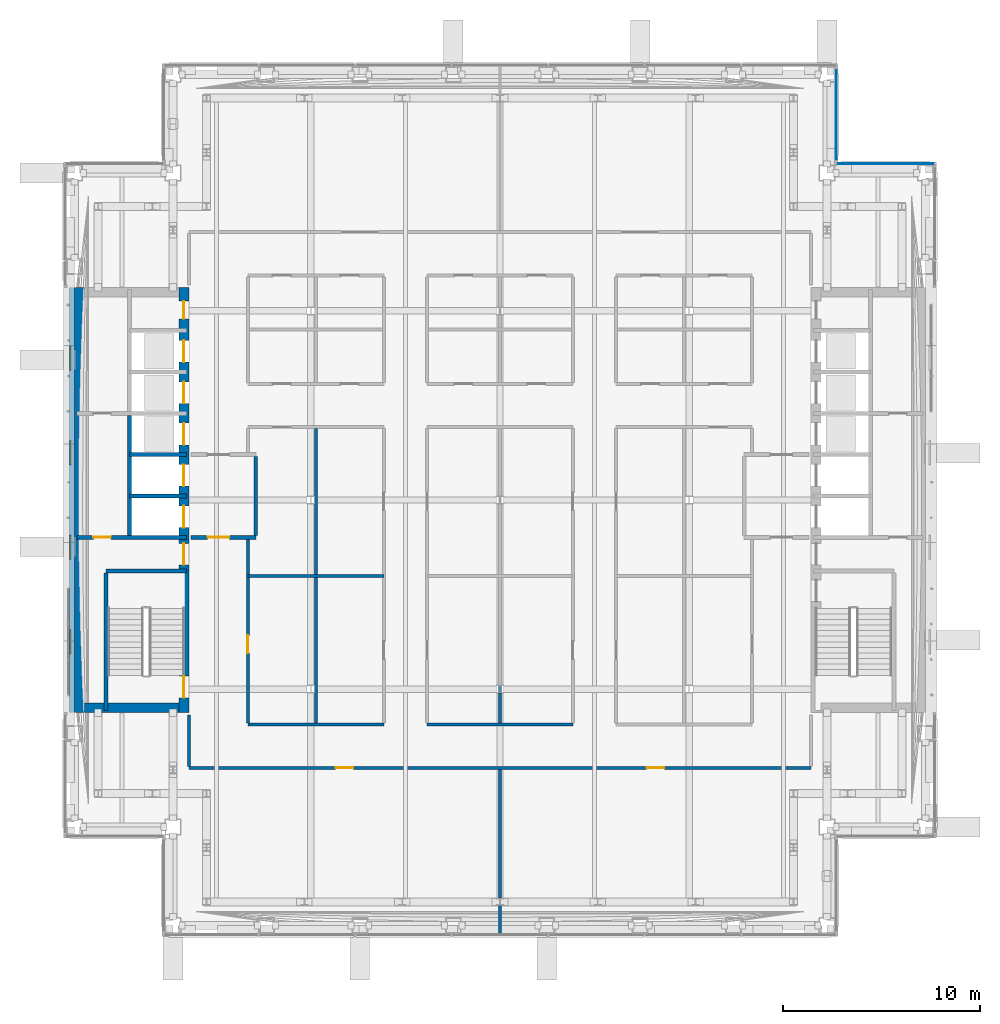
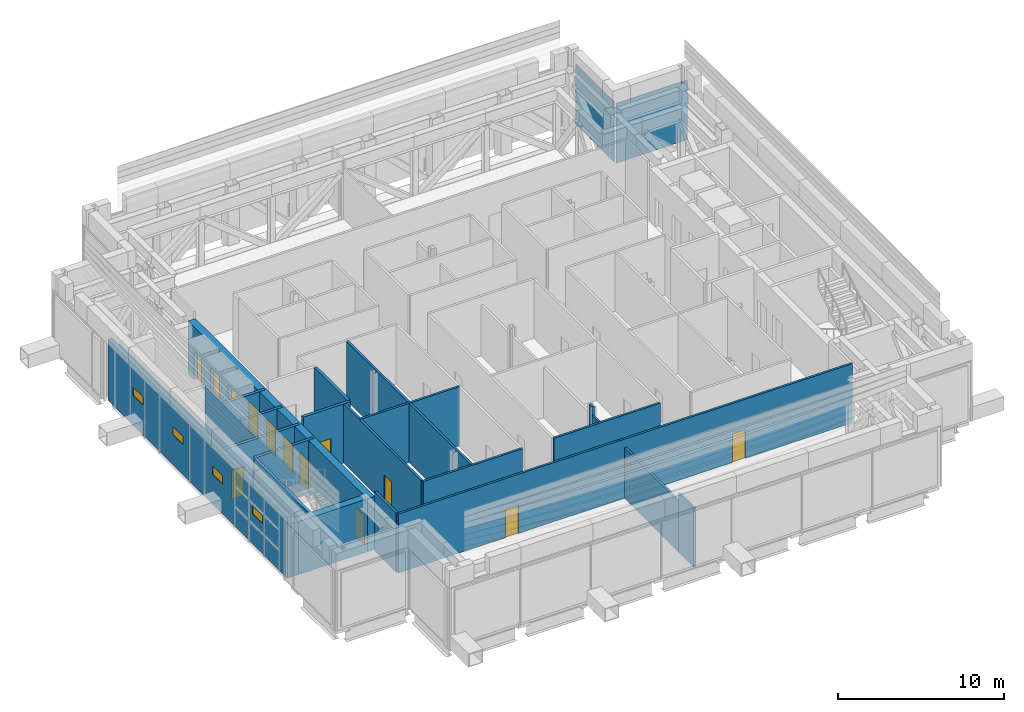
# One storey, part 11 of 29: 24 walls, 13 doors, 4 windows, 2 plates, 17 openings, 2 elements without a shape of their own.
"""IFC4 building model written with IfcOpenShell, lengths in metres."""

from ifc_helpers import new_model, si_unit, direction, frame, frame_2d, origin, origin_2d, place, context, subcontext, project, spatial, rectangle, extrude, material, layer, layer_set, type_object, element, fill, aggregate, save


model = new_model("IFC4")

# Units and contexts
model_context = context("Model", 3, precision=1e-05, world=origin(), true_north=direction((0.0, 1.0)))
body_context = subcontext(model_context, "Body", "Model", "MODEL_VIEW")
ifc_project = project(units=[si_unit("LENGTHUNIT", "METRE"), si_unit("AREAUNIT", "SQUARE_METRE"), si_unit("VOLUMEUNIT", "CUBIC_METRE"), si_unit("PLANEANGLEUNIT", "RADIAN"), si_unit("MASSUNIT", "GRAM", prefix="KILO")], contexts=[model_context])

# Site, building, storey
site_placement = place(None, origin())
site = spatial("IfcSite", under=ifc_project, at=site_placement, CompositionType="ELEMENT")
building_placement = place(site_placement, origin())
building = spatial("IfcBuilding", under=site, at=building_placement, Name="Cobrizo Arcos Hotel Tower", CompositionType="ELEMENT")
storey_placement = place(building_placement, frame((0.0, 0.0, 186.5)))
storey = spatial("IfcBuildingStorey", under=building, at=storey_placement, Name="L48", CompositionType="ELEMENT", Elevation=186.5)

# Curtain wall, plate
ifc_material_1 = material(Name="Aluminium 6063-T6 anodised bronze", Category="aluminium")
curtain_wall_type = type_object("IfcCurtainWallType", Name="CW-D plant louvre wall", PredefinedType="NOTDEFINED", material=ifc_material_1)
curtain_wall_1_placement = place(storey_placement, origin())
curtain_wall_1 = element("IfcCurtainWall", 1, at=curtain_wall_1_placement, inside=storey, type_object=curtain_wall_type, Name="CW-D L48 N face", PredefinedType="NOTDEFINED")
ifc_material_2 = material(Name="Aluminium composite panel pale metal", Category="aluminium")
ifc_layer_1 = layer(ifc_material_2, 0.06005859375)
ifc_layer_set_1 = layer_set([ifc_layer_1], Name="CW-D spandrel panel")
plate_type = type_object("IfcPlateType", Name="CW-D spandrel panel", PredefinedType="CURTAIN_PANEL", material=ifc_layer_set_1)
plate_1_placement = place(storey_placement, frame((19.574951171875, 17.074951171875, 0.0), z_axis=(0.0, 0.0, 1.0), x_axis=(-1.0, 0.0, 0.0)))
plate_1 = element("IfcPlate", 2, at=plate_1_placement, type_object=plate_type, Name="CW-D insulated panel 1679", PredefinedType="CURTAIN_PANEL", context=body_context, shape_type="SweptSolid", body=[
    extrude(rectangle(XDim=4.949951171875, YDim=0.0400390625, at=origin_2d()), origin(), (0.0, 0.0, 1.0), 4.39990234375),
])
aggregate(curtain_wall_1, [plate_1])

curtain_wall_2_placement = place(storey_placement, origin())
curtain_wall_2 = element("IfcCurtainWall", 3, at=curtain_wall_2_placement, inside=storey, type_object=curtain_wall_type, Name="CW-D L48 E face", PredefinedType="NOTDEFINED")
plate_2_placement = place(storey_placement, frame((17.074951171875, 19.574951171875, 0.0), z_axis=(0.0, 0.0, 1.0), x_axis=(0.0, 1.0, 0.0)))
plate_2 = element("IfcPlate", 4, at=plate_2_placement, type_object=plate_type, Name="CW-D insulated panel 1680", PredefinedType="CURTAIN_PANEL", context=body_context, shape_type="SweptSolid", body=[
    extrude(rectangle(XDim=4.64990234375, YDim=0.0400390625, at=origin_2d()), origin(), (0.0, 0.0, 1.0), 4.39990234375),
])
aggregate(curtain_wall_2, [plate_2])

# Wall, openings, doors
ifc_material_3 = material(Name="Gypsum board partition")
ifc_layer_2 = layer(ifc_material_3, 0.14990234375)
ifc_layer_set_2 = layer_set([ifc_layer_2], Name="Corridor wall EI 60 150")
wall_type_1 = type_object("IfcWallType", Name="Corridor wall EI 60 150", PredefinedType="PARTITIONING", material=ifc_layer_set_2)
wall_1_placement = place(storey_placement, frame((-15.800048828125, -13.60009765625, 0.0), z_axis=(0.0, 0.0, 1.0), x_axis=(1.0, 0.0, 0.0)))
wall_1 = element("IfcWall", 5, at=wall_1_placement, inside=storey, type_object=wall_type_1, Name="Partition 001", PredefinedType="PARTITIONING", context=body_context, shape_type="SweptSolid", body=[
    extrude(rectangle(XDim=31.60009765625, YDim=0.14990234375, at=frame_2d((15.800048828125, 0.0))), origin(), (0.0, 0.0, 1.0), 4.35009765625),
])
opening_1_placement = place(wall_1_placement, frame((7.449951171875, 0.0, 0.0)))
opening_1 = element("IfcOpeningElement", 6, at=opening_1_placement, cuts=wall_1, Name="Opening RD-07", PredefinedType="OPENING", context=body_context, shape_type="SweptSolid", body=[
    extrude(rectangle(XDim=0.89990234375, YDim=2.10009765625, at=frame_2d((0.449951171875, 1.050048828125))), frame((0.0, 0.0869140625, 0.0), z_axis=(0.0, -1.0, 0.0), x_axis=(1.0, 0.0, 0.0)), (0.0, 0.0, 1.0), 0.173828125),
])
opening_2_placement = place(wall_1_placement, frame((23.25, 0.0, 0.0)))
opening_2 = element("IfcOpeningElement", 7, at=opening_2_placement, cuts=wall_1, Name="Opening RD-08", PredefinedType="OPENING", context=body_context, shape_type="SweptSolid", body=[
    extrude(rectangle(XDim=0.89990234375, YDim=2.10009765625, at=frame_2d((0.449951171875, 1.050048828125))), frame((0.0, 0.0869140625, 0.0), z_axis=(0.0, -1.0, 0.0), x_axis=(1.0, 0.0, 0.0)), (0.0, 0.0, 1.0), 0.173828125),
])
ifc_material_4 = material(Name="Timber door leaf", Category="wood")
door_type_1 = type_object("IfcDoorType", Name="Room door FD30 900x2100", OperationType="SINGLE_SWING_LEFT", PredefinedType="DOOR", material=ifc_material_4)
door_1_placement = place(opening_1_placement, origin())
door_1 = element("IfcDoor", 8, at=door_1_placement, inside=storey, type_object=door_type_1, Name="Door RD-07", OperationType="SINGLE_SWING_LEFT", OverallHeight=2.10009765625, OverallWidth=0.89990234375, PredefinedType="DOOR", context=body_context, shape_type="SweptSolid", body=[
    extrude(rectangle(XDim=0.89990234375, YDim=2.10009765625, at=frame_2d((0.449951171875, 1.050048828125))), frame((0.0, 0.02490234375, 0.0), z_axis=(0.0, -1.0, 0.0), x_axis=(1.0, 0.0, 0.0)), (0.0, 0.0, 1.0), 0.050048828125),
])
fill(opening_1, door_1)
door_2_placement = place(opening_2_placement, origin())
door_2 = element("IfcDoor", 9, at=door_2_placement, inside=storey, type_object=door_type_1, Name="Door RD-08", OperationType="SINGLE_SWING_RIGHT", OverallHeight=2.10009765625, OverallWidth=0.89990234375, PredefinedType="DOOR", context=body_context, shape_type="SweptSolid", body=[
    extrude(rectangle(XDim=0.89990234375, YDim=2.10009765625, at=frame_2d((0.449951171875, 1.050048828125))), frame((0.0, 0.02490234375, 0.0), z_axis=(0.0, -1.0, 0.0), x_axis=(1.0, 0.0, 0.0)), (0.0, 0.0, 1.0), 0.050048828125),
])
fill(opening_2, door_2)

# Walls
wall_2_placement = place(storey_placement, frame((-12.800048828125, -11.39990234375, 0.0), z_axis=(0.0, 0.0, 1.0), x_axis=(1.0, 0.0, 0.0)))
element("IfcWall", 10, at=wall_2_placement, inside=storey, type_object=wall_type_1, Name="Partition 002", PredefinedType="PARTITIONING", context=body_context, shape_type="SweptSolid", body=[
    extrude(rectangle(XDim=6.900146484375, YDim=0.14990234375, at=frame_2d((3.4501953125, 0.0))), origin(), (0.0, 0.0, 1.0), 4.35009765625),
])
wall_3_placement = place(storey_placement, frame((-3.699951171875, -11.39990234375, 0.0), z_axis=(0.0, 0.0, 1.0), x_axis=(1.0, 0.0, 0.0)))
element("IfcWall", 11, at=wall_3_placement, inside=storey, type_object=wall_type_1, Name="Partition 003", PredefinedType="PARTITIONING", context=body_context, shape_type="SweptSolid", body=[
    extrude(rectangle(XDim=7.39990234375, YDim=0.14990234375, at=frame_2d((3.699951171875, 0.0))), origin(), (0.0, 0.0, 1.0), 4.35009765625),
])
wall_4_placement = place(storey_placement, frame((-12.800048828125, -3.85009765625, 0.0), z_axis=(0.0, 0.0, 1.0), x_axis=(1.0, 0.0, 0.0)))
element("IfcWall", 12, at=wall_4_placement, inside=storey, type_object=wall_type_1, Name="Partition 005", PredefinedType="PARTITIONING", context=body_context, shape_type="SweptSolid", body=[
    extrude(rectangle(XDim=6.900146484375, YDim=0.14990234375, at=frame_2d((3.4501953125, 0.0))), origin(), (0.0, 0.0, 1.0), 4.35009765625),
])
wall_5_placement = place(storey_placement, frame((-15.800048828125, -13.52490234375, 0.0), z_axis=(0.0, 0.0, 1.0), x_axis=(0.0, 1.0, 0.0)))
element("IfcWall", 13, at=wall_5_placement, inside=storey, type_object=wall_type_1, Name="Partition 043", PredefinedType="PARTITIONING", context=body_context, shape_type="SweptSolid", body=[
    extrude(rectangle(XDim=2.60498046875, YDim=0.14990234375, at=frame_2d((1.302490234375, 0.0))), origin(), (0.0, 0.0, 1.0), 4.35009765625),
])

# Wall, opening, door
wall_6_placement = place(storey_placement, frame((-12.800048828125, -11.324951171875, 0.0), z_axis=(0.0, 0.0, 1.0), x_axis=(0.0, 1.0, 0.0)))
wall_6 = element("IfcWall", 14, at=wall_6_placement, inside=storey, type_object=wall_type_1, Name="Partition 045", PredefinedType="PARTITIONING", context=body_context, shape_type="SweptSolid", body=[
    extrude(rectangle(XDim=9.324951171875, YDim=0.14990234375, at=frame_2d((4.66259765625, 0.0))), origin(), (0.0, 0.0, 1.0), 4.35009765625),
])
opening_3_placement = place(wall_6_placement, frame((3.550048828125, 0.0, 0.0)))
opening_3 = element("IfcOpeningElement", 15, at=opening_3_placement, cuts=wall_6, Name="Opening RD-25", PredefinedType="OPENING", context=body_context, shape_type="SweptSolid", body=[
    extrude(rectangle(XDim=0.89990234375, YDim=2.10009765625, at=frame_2d((0.449951171875, 1.050048828125))), frame((0.0, 0.0869140625, 0.0), z_axis=(0.0, -1.0, 0.0), x_axis=(1.0, 0.0, 0.0)), (0.0, 0.0, 1.0), 0.173828125),
])
door_3_placement = place(opening_3_placement, origin())
door_3 = element("IfcDoor", 16, at=door_3_placement, inside=storey, type_object=door_type_1, Name="Door RD-25", OperationType="SINGLE_SWING_RIGHT", OverallHeight=2.10009765625, OverallWidth=0.89990234375, PredefinedType="DOOR", context=body_context, shape_type="SweptSolid", body=[
    extrude(rectangle(XDim=0.89990234375, YDim=2.10009765625, at=frame_2d((0.449951171875, 1.050048828125))), frame((0.0, 0.02490234375, 0.0), z_axis=(0.0, -1.0, 0.0), x_axis=(1.0, 0.0, 0.0)), (0.0, 0.0, 1.0), 0.050048828125),
])
fill(opening_3, door_3)

# Walls
for number, where, z_axis, x_axis, name in (
    (17, (-9.35009765625, -11.324951171875, 0.0), (0.0, 0.0, 1.0), (0.0, 1.0, 0.0), "Partition 050"),
    (18, (-9.35009765625, -3.77490234375, 0.0), (0.0, 0.0, 1.0), (0.0, 1.0, 0.0), "Partition 051"),
):
    element("IfcWall", number, at=place(storey_placement, frame(where, z_axis=z_axis, x_axis=x_axis)), inside=storey, type_object=wall_type_1, Name=name, PredefinedType="PARTITIONING", context=body_context, shape_type="SweptSolid", body=[
        extrude(rectangle(XDim=7.39990234375, YDim=0.14990234375, at=frame_2d((3.699951171875, 0.0))), origin(), (0.0, 0.0, 1.0), 4.35009765625),
    ])
wall_7_placement = place(storey_placement, frame((0.0, -22.030029296875, 0.0), z_axis=(0.0, 0.0, 1.0), x_axis=(0.0, 1.0, 0.0)))
element("IfcWall", 19, at=wall_7_placement, inside=storey, type_object=wall_type_1, Name="Partition 058", PredefinedType="PARTITIONING", context=body_context, shape_type="SweptSolid", body=[
    extrude(rectangle(XDim=1.83056640625, YDim=0.14990234375, at=frame_2d((0.915283203125, 0.0))), origin(), (0.0, 0.0, 1.0), 4.35009765625),
])
wall_8_placement = place(storey_placement, frame((0.0, -20.199951171875, 0.0), z_axis=(0.0, 0.0, 1.0), x_axis=(0.0, 1.0, 0.0)))
element("IfcWall", 20, at=wall_8_placement, inside=storey, type_object=wall_type_1, Name="Partition 059", PredefinedType="PARTITIONING", context=body_context, shape_type="SweptSolid", body=[
    extrude(rectangle(XDim=6.52490234375, YDim=0.14990234375, at=frame_2d((3.262451171875, 0.0))), origin(), (0.0, 0.0, 1.0), 3.72802734375),
])
wall_9_placement = place(storey_placement, frame((0.0, -11.324951171875, 0.0), z_axis=(0.0, 0.0, 1.0), x_axis=(0.0, 1.0, 0.0)))
element("IfcWall", 21, at=wall_9_placement, inside=storey, type_object=wall_type_1, Name="Partition 060", PredefinedType="PARTITIONING", context=body_context, shape_type="SweptSolid", body=[
    extrude(rectangle(XDim=1.537841796875, YDim=0.14990234375, at=frame_2d((0.76904296875, 0.0))), origin(), (0.0, 0.0, 1.0), 3.72802734375),
])
wall_10_placement = place(storey_placement, frame((0.0, -9.787109375, 0.0), z_axis=(0.0, 0.0, 1.0), x_axis=(0.0, 1.0, 0.0)))
element("IfcWall", 22, at=wall_10_placement, inside=storey, type_object=wall_type_1, Name="Partition 061", PredefinedType="PARTITIONING", context=body_context, shape_type="SweptSolid", body=[
    extrude(rectangle(XDim=0.3740234375, YDim=0.14990234375, at=frame_2d((0.18701171875, 0.0))), origin(), (0.0, 0.0, 1.0), 4.35009765625),
])

# Wall, openings, windows
ifc_layer_3 = layer(ifc_material_2, 0.27490234375)
ifc_layer_set_3 = layer_set([ifc_layer_3], Name="EW-1 insulated panel wall 275")
wall_type_2 = type_object("IfcWallType", Name="EW-1 insulated panel wall 275", PredefinedType="SOLIDWALL", material=ifc_layer_set_3)
wall_11_placement = place(storey_placement, frame((-21.737548828125, 10.800048828125, 0.0), z_axis=(0.0, 0.0, 1.0), x_axis=(0.0, -1.0, 0.0)))
wall_11 = element("IfcWall", 23, at=wall_11_placement, inside=storey, type_object=wall_type_2, Name="Core face wall L48 W", PredefinedType="SOLIDWALL", context=body_context, shape_type="SweptSolid", body=[
    extrude(rectangle(XDim=21.60009765625, YDim=0.27490234375, at=frame_2d((10.800048828125, 0.0))), origin(), (0.0, 0.0, 1.0), 4.5),
])
opening_4_placement = place(wall_11_placement, frame((3.0, 0.0, 2.199951171875)))
opening_4 = element("IfcOpeningElement", 24, at=opening_4_placement, cuts=wall_11, Name="Opening W-107", PredefinedType="OPENING", context=body_context, shape_type="SweptSolid", body=[
    extrude(rectangle(XDim=1.199951171875, YDim=0.60009765625, at=frame_2d((0.60009765625, 0.300048828125))), frame((0.0, 0.1494140625, 0.0), z_axis=(0.0, -1.0, 0.0), x_axis=(1.0, 0.0, 0.0)), (0.0, 0.0, 1.0), 0.298828125),
])
opening_5_placement = place(wall_11_placement, frame((7.800048828125, 0.0, 2.199951171875)))
opening_5 = element("IfcOpeningElement", 25, at=opening_5_placement, cuts=wall_11, Name="Opening W-108", PredefinedType="OPENING", context=body_context, shape_type="SweptSolid", body=[
    extrude(rectangle(XDim=1.199951171875, YDim=0.60009765625, at=frame_2d((0.60009765625, 0.300048828125))), frame((0.0, 0.1494140625, 0.0), z_axis=(0.0, -1.0, 0.0), x_axis=(1.0, 0.0, 0.0)), (0.0, 0.0, 1.0), 0.298828125),
])
opening_6_placement = place(wall_11_placement, frame((12.60009765625, 0.0, 2.199951171875)))
opening_6 = element("IfcOpeningElement", 26, at=opening_6_placement, cuts=wall_11, Name="Opening W-109", PredefinedType="OPENING", context=body_context, shape_type="SweptSolid", body=[
    extrude(rectangle(XDim=1.199951171875, YDim=0.60009765625, at=frame_2d((0.60009765625, 0.300048828125))), frame((0.0, 0.1494140625, 0.0), z_axis=(0.0, -1.0, 0.0), x_axis=(1.0, 0.0, 0.0)), (0.0, 0.0, 1.0), 0.298828125),
])
opening_7_placement = place(wall_11_placement, frame((17.39990234375, 0.0, 2.199951171875)))
opening_7 = element("IfcOpeningElement", 27, at=opening_7_placement, cuts=wall_11, Name="Opening W-110", PredefinedType="OPENING", context=body_context, shape_type="SweptSolid", body=[
    extrude(rectangle(XDim=1.199951171875, YDim=0.60009765625, at=frame_2d((0.60009765625, 0.300048828125))), frame((0.0, 0.1494140625, 0.0), z_axis=(0.0, -1.0, 0.0), x_axis=(1.0, 0.0, 0.0)), (0.0, 0.0, 1.0), 0.298828125),
])
ifc_material_5 = material(Name="Aluminium 6063-T6 and clear laminated glass", Category="aluminium")
window_type = type_object("IfcWindowType", Name="W-S1 plant smoke-vent window 1200x600", PartitioningType="SINGLE_PANEL", PredefinedType="WINDOW", material=ifc_material_5)
window_1_placement = place(opening_4_placement, origin())
window_1 = element("IfcWindow", 28, at=window_1_placement, inside=storey, type_object=window_type, Name="Core face wall L48 W window W-107", OverallHeight=0.60009765625, OverallWidth=1.199951171875, PartitioningType="SINGLE_PANEL", PredefinedType="WINDOW", context=body_context, shape_type="SweptSolid", body=[
    extrude(rectangle(XDim=1.199951171875, YDim=0.60009765625, at=frame_2d((0.60009765625, 0.300048828125))), frame((0.0, -0.04736328125, 0.0), z_axis=(0.0, -1.0, 0.0), x_axis=(1.0, 0.0, 0.0)), (0.0, 0.0, 1.0), 0.06005859375),
])
fill(opening_4, window_1)
window_2_placement = place(opening_5_placement, origin())
window_2 = element("IfcWindow", 29, at=window_2_placement, inside=storey, type_object=window_type, Name="Core face wall L48 W window W-108", OverallHeight=0.60009765625, OverallWidth=1.199951171875, PartitioningType="SINGLE_PANEL", PredefinedType="WINDOW", context=body_context, shape_type="SweptSolid", body=[
    extrude(rectangle(XDim=1.199951171875, YDim=0.60009765625, at=frame_2d((0.60009765625, 0.300048828125))), frame((0.0, -0.04736328125, 0.0), z_axis=(0.0, -1.0, 0.0), x_axis=(1.0, 0.0, 0.0)), (0.0, 0.0, 1.0), 0.06005859375),
])
fill(opening_5, window_2)
window_3_placement = place(opening_6_placement, origin())
window_3 = element("IfcWindow", 30, at=window_3_placement, inside=storey, type_object=window_type, Name="Core face wall L48 W window W-109", OverallHeight=0.60009765625, OverallWidth=1.199951171875, PartitioningType="SINGLE_PANEL", PredefinedType="WINDOW", context=body_context, shape_type="SweptSolid", body=[
    extrude(rectangle(XDim=1.199951171875, YDim=0.60009765625, at=frame_2d((0.60009765625, 0.300048828125))), frame((0.0, -0.04736328125, 0.0), z_axis=(0.0, -1.0, 0.0), x_axis=(1.0, 0.0, 0.0)), (0.0, 0.0, 1.0), 0.06005859375),
])
fill(opening_6, window_3)
window_4_placement = place(opening_7_placement, origin())
window_4 = element("IfcWindow", 31, at=window_4_placement, inside=storey, type_object=window_type, Name="Core face wall L48 W window W-110", OverallHeight=0.60009765625, OverallWidth=1.199951171875, PartitioningType="SINGLE_PANEL", PredefinedType="WINDOW", context=body_context, shape_type="SweptSolid", body=[
    extrude(rectangle(XDim=1.199951171875, YDim=0.60009765625, at=frame_2d((0.60009765625, 0.300048828125))), frame((0.0, -0.04736328125, 0.0), z_axis=(0.0, -1.0, 0.0), x_axis=(1.0, 0.0, 0.0)), (0.0, 0.0, 1.0), 0.06005859375),
])
fill(opening_7, window_4)

# Wall, openings, doors
ifc_material_6 = material(Name="Concrete f'c 50 MPa", Category="concrete")
ifc_layer_4 = layer(ifc_material_6, 0.5)
ifc_layer_set_4 = layer_set([ifc_layer_4], Name="RC core wall 500 f'c 50")
wall_type_3 = type_object("IfcWallType", Name="RC core wall 500 f'c 50", PredefinedType="SHEAR", material=ifc_layer_set_4)
wall_12_placement = place(storey_placement, frame((-16.050048828125, -10.800048828125, 0.0), z_axis=(0.0, 0.0, 1.0), x_axis=(0.0, 1.0, 0.0)))
wall_12 = element("IfcWall", 32, at=wall_12_placement, inside=storey, type_object=wall_type_3, Name="Core wall CW3, west core, inner face, L48", PredefinedType="SHEAR", context=body_context, shape_type="SweptSolid", body=[
    extrude(rectangle(XDim=21.60009765625, YDim=0.5, at=frame_2d((10.800048828125, 0.0))), origin(), (0.0, 0.0, 1.0), 3.89990234375),
])
opening_8_placement = place(wall_12_placement, frame((9.39990234375, 0.0, 0.0)))
opening_8 = element("IfcOpeningElement", 33, at=opening_8_placement, cuts=wall_12, Name="Opening LD-01", PredefinedType="OPENING", context=body_context, shape_type="SweptSolid", body=[
    extrude(rectangle(XDim=1.10009765625, YDim=2.10009765625, at=frame_2d((0.550048828125, 1.050048828125))), frame((0.0, 0.261962890625, 0.0), z_axis=(0.0, -1.0, 0.0), x_axis=(1.0, 0.0, 0.0)), (0.0, 0.0, 1.0), 0.52392578125),
])
opening_9_placement = place(wall_12_placement, frame((11.5, 0.0, 0.0)))
opening_9 = element("IfcOpeningElement", 34, at=opening_9_placement, cuts=wall_12, Name="Opening LD-02", PredefinedType="OPENING", context=body_context, shape_type="SweptSolid", body=[
    extrude(rectangle(XDim=1.10009765625, YDim=2.10009765625, at=frame_2d((0.550048828125, 1.050048828125))), frame((0.0, 0.261962890625, 0.0), z_axis=(0.0, -1.0, 0.0), x_axis=(1.0, 0.0, 0.0)), (0.0, 0.0, 1.0), 0.52392578125),
])
opening_10_placement = place(wall_12_placement, frame((13.60009765625, 0.0, 0.0)))
opening_10 = element("IfcOpeningElement", 35, at=opening_10_placement, cuts=wall_12, Name="Opening LD-03", PredefinedType="OPENING", context=body_context, shape_type="SweptSolid", body=[
    extrude(rectangle(XDim=1.10009765625, YDim=2.10009765625, at=frame_2d((0.550048828125, 1.050048828125))), frame((0.0, 0.261962890625, 0.0), z_axis=(0.0, -1.0, 0.0), x_axis=(1.0, 0.0, 0.0)), (0.0, 0.0, 1.0), 0.52392578125),
])
opening_11_placement = place(wall_12_placement, frame((15.699951171875, 0.0, 0.0)))
opening_11 = element("IfcOpeningElement", 36, at=opening_11_placement, cuts=wall_12, Name="Opening LD-04", PredefinedType="OPENING", context=body_context, shape_type="SweptSolid", body=[
    extrude(rectangle(XDim=1.10009765625, YDim=2.10009765625, at=frame_2d((0.550048828125, 1.050048828125))), frame((0.0, 0.261962890625, 0.0), z_axis=(0.0, -1.0, 0.0), x_axis=(1.0, 0.0, 0.0)), (0.0, 0.0, 1.0), 0.52392578125),
])
opening_12_placement = place(wall_12_placement, frame((17.800048828125, 0.0, 0.0)))
opening_12 = element("IfcOpeningElement", 37, at=opening_12_placement, cuts=wall_12, Name="Opening LD-05", PredefinedType="OPENING", context=body_context, shape_type="SweptSolid", body=[
    extrude(rectangle(XDim=1.10009765625, YDim=2.10009765625, at=frame_2d((0.550048828125, 1.050048828125))), frame((0.0, 0.261962890625, 0.0), z_axis=(0.0, -1.0, 0.0), x_axis=(1.0, 0.0, 0.0)), (0.0, 0.0, 1.0), 0.52392578125),
])
opening_13_placement = place(wall_12_placement, frame((0.758056640625, 0.0, 0.0)))
opening_13 = element("IfcOpeningElement", 38, at=opening_13_placement, cuts=wall_12, Name="Opening SD-01", PredefinedType="OPENING", context=body_context, shape_type="SweptSolid", body=[
    extrude(rectangle(XDim=1.10009765625, YDim=2.10009765625, at=frame_2d((0.550048828125, 1.050048828125))), frame((0.0, 0.261962890625, 0.0), z_axis=(0.0, -1.0, 0.0), x_axis=(1.0, 0.0, 0.0)), (0.0, 0.0, 1.0), 0.52392578125),
])
opening_14_placement = place(wall_12_placement, frame((7.5, 0.0, 0.0)))
opening_14 = element("IfcOpeningElement", 39, at=opening_14_placement, cuts=wall_12, Name="Opening FD-01", PredefinedType="OPENING", context=body_context, shape_type="SweptSolid", body=[
    extrude(rectangle(XDim=1.10009765625, YDim=2.10009765625, at=frame_2d((0.550048828125, 1.050048828125))), frame((0.0, 0.261962890625, 0.0), z_axis=(0.0, -1.0, 0.0), x_axis=(1.0, 0.0, 0.0)), (0.0, 0.0, 1.0), 0.52392578125),
])
opening_15_placement = place(wall_12_placement, frame((20.0, 0.0, 0.0)))
opening_15 = element("IfcOpeningElement", 40, at=opening_15_placement, cuts=wall_12, Name="Opening RD-01", PredefinedType="OPENING", context=body_context, shape_type="SweptSolid", body=[
    extrude(rectangle(XDim=0.89990234375, YDim=2.10009765625, at=frame_2d((0.449951171875, 1.050048828125))), frame((0.0, 0.261962890625, 0.0), z_axis=(0.0, -1.0, 0.0), x_axis=(1.0, 0.0, 0.0)), (0.0, 0.0, 1.0), 0.52392578125),
])
ifc_material_7 = material(Name="Steel door leaf", Category="steel")
door_type_2 = type_object("IfcDoorType", Name="Fire door FD60 1100x2100", OperationType="SINGLE_SWING_LEFT", PredefinedType="DOOR", material=ifc_material_7)
door_4_placement = place(opening_14_placement, origin())
door_4 = element("IfcDoor", 41, at=door_4_placement, inside=storey, type_object=door_type_2, Name="Door FD-01", OperationType="SINGLE_SWING_LEFT", OverallHeight=2.10009765625, OverallWidth=1.10009765625, PredefinedType="DOOR", context=body_context, shape_type="SweptSolid", body=[
    extrude(rectangle(XDim=1.10009765625, YDim=2.10009765625, at=frame_2d((0.550048828125, 1.050048828125))), frame((0.0, 0.02490234375, 0.0), z_axis=(0.0, -1.0, 0.0), x_axis=(1.0, 0.0, 0.0)), (0.0, 0.0, 1.0), 0.050048828125),
])
fill(opening_14, door_4)
door_type_3 = type_object("IfcDoorType", Name="Lift landing door 1100x2100", OperationType="SLIDING_TO_LEFT", PredefinedType="DOOR", material=ifc_material_7)
door_5_placement = place(opening_8_placement, origin())
door_5 = element("IfcDoor", 42, at=door_5_placement, inside=storey, type_object=door_type_3, Name="Lift landing door LD-01", OperationType="SLIDING_TO_LEFT", OverallHeight=2.10009765625, OverallWidth=1.10009765625, PredefinedType="DOOR", context=body_context, shape_type="SweptSolid", body=[
    extrude(rectangle(XDim=1.10009765625, YDim=2.10009765625, at=frame_2d((0.550048828125, 1.050048828125))), frame((0.0, 0.02490234375, 0.0), z_axis=(0.0, -1.0, 0.0), x_axis=(1.0, 0.0, 0.0)), (0.0, 0.0, 1.0), 0.050048828125),
])
fill(opening_8, door_5)
door_6_placement = place(opening_9_placement, origin())
door_6 = element("IfcDoor", 43, at=door_6_placement, inside=storey, type_object=door_type_3, Name="Lift landing door LD-02", OperationType="SLIDING_TO_LEFT", OverallHeight=2.10009765625, OverallWidth=1.10009765625, PredefinedType="DOOR", context=body_context, shape_type="SweptSolid", body=[
    extrude(rectangle(XDim=1.10009765625, YDim=2.10009765625, at=frame_2d((0.550048828125, 1.050048828125))), frame((0.0, 0.02490234375, 0.0), z_axis=(0.0, -1.0, 0.0), x_axis=(1.0, 0.0, 0.0)), (0.0, 0.0, 1.0), 0.050048828125),
])
fill(opening_9, door_6)
door_7_placement = place(opening_10_placement, origin())
door_7 = element("IfcDoor", 44, at=door_7_placement, inside=storey, type_object=door_type_3, Name="Lift landing door LD-03", OperationType="SLIDING_TO_LEFT", OverallHeight=2.10009765625, OverallWidth=1.10009765625, PredefinedType="DOOR", context=body_context, shape_type="SweptSolid", body=[
    extrude(rectangle(XDim=1.10009765625, YDim=2.10009765625, at=frame_2d((0.550048828125, 1.050048828125))), frame((0.0, 0.02490234375, 0.0), z_axis=(0.0, -1.0, 0.0), x_axis=(1.0, 0.0, 0.0)), (0.0, 0.0, 1.0), 0.050048828125),
])
fill(opening_10, door_7)
door_8_placement = place(opening_11_placement, origin())
door_8 = element("IfcDoor", 45, at=door_8_placement, inside=storey, type_object=door_type_3, Name="Lift landing door LD-04", OperationType="SLIDING_TO_LEFT", OverallHeight=2.10009765625, OverallWidth=1.10009765625, PredefinedType="DOOR", context=body_context, shape_type="SweptSolid", body=[
    extrude(rectangle(XDim=1.10009765625, YDim=2.10009765625, at=frame_2d((0.550048828125, 1.050048828125))), frame((0.0, 0.02490234375, 0.0), z_axis=(0.0, -1.0, 0.0), x_axis=(1.0, 0.0, 0.0)), (0.0, 0.0, 1.0), 0.050048828125),
])
fill(opening_11, door_8)
door_9_placement = place(opening_12_placement, origin())
door_9 = element("IfcDoor", 46, at=door_9_placement, inside=storey, type_object=door_type_3, Name="Lift landing door LD-05", OperationType="SLIDING_TO_LEFT", OverallHeight=2.10009765625, OverallWidth=1.10009765625, PredefinedType="DOOR", context=body_context, shape_type="SweptSolid", body=[
    extrude(rectangle(XDim=1.10009765625, YDim=2.10009765625, at=frame_2d((0.550048828125, 1.050048828125))), frame((0.0, 0.02490234375, 0.0), z_axis=(0.0, -1.0, 0.0), x_axis=(1.0, 0.0, 0.0)), (0.0, 0.0, 1.0), 0.050048828125),
])
fill(opening_12, door_9)
door_10_placement = place(opening_15_placement, origin())
door_10 = element("IfcDoor", 47, at=door_10_placement, inside=storey, type_object=door_type_1, Name="Door RD-01", OperationType="SINGLE_SWING_RIGHT", OverallHeight=2.10009765625, OverallWidth=0.89990234375, PredefinedType="DOOR", context=body_context, shape_type="SweptSolid", body=[
    extrude(rectangle(XDim=0.89990234375, YDim=2.10009765625, at=frame_2d((0.449951171875, 1.050048828125))), frame((0.0, 0.02490234375, 0.0), z_axis=(0.0, -1.0, 0.0), x_axis=(1.0, 0.0, 0.0)), (0.0, 0.0, 1.0), 0.050048828125),
])
fill(opening_15, door_10)
door_type_4 = type_object("IfcDoorType", Name="Stair door FD60S 1100x2100", OperationType="SINGLE_SWING_LEFT", PredefinedType="DOOR", material=ifc_material_7)
door_11_placement = place(opening_13_placement, origin())
door_11 = element("IfcDoor", 48, at=door_11_placement, inside=storey, type_object=door_type_4, Name="Door SD-01", OperationType="SINGLE_SWING_LEFT", OverallHeight=2.10009765625, OverallWidth=1.10009765625, PredefinedType="DOOR", context=body_context, shape_type="SweptSolid", body=[
    extrude(rectangle(XDim=1.10009765625, YDim=2.10009765625, at=frame_2d((0.550048828125, 1.050048828125))), frame((0.0, 0.02490234375, 0.0), z_axis=(0.0, -1.0, 0.0), x_axis=(1.0, 0.0, 0.0)), (0.0, 0.0, 1.0), 0.050048828125),
])
fill(opening_13, door_11)

# Walls
wall_13_placement = place(storey_placement, frame((-21.35009765625, -10.800048828125, 0.0), z_axis=(0.0, 0.0, 1.0), x_axis=(0.0, 1.0, 0.0)))
element("IfcWall", 49, at=wall_13_placement, inside=storey, type_object=wall_type_3, Name="Core wall CW3, west core, outer face, L48", PredefinedType="SHEAR", context=body_context, shape_type="SweptSolid", body=[
    extrude(rectangle(XDim=21.60009765625, YDim=0.5, at=frame_2d((10.800048828125, 0.0))), origin(), (0.0, 0.0, 1.0), 3.89990234375),
])
wall_14_placement = place(storey_placement, frame((-21.10009765625, -10.550048828125, 0.0), z_axis=(0.0, 0.0, 1.0), x_axis=(1.0, 0.0, 0.0)))
element("IfcWall", 50, at=wall_14_placement, inside=storey, type_object=wall_type_3, Name="Core wall CW3, west core, south end, L48", PredefinedType="SHEAR", context=body_context, shape_type="SweptSolid", body=[
    extrude(rectangle(XDim=4.800048828125, YDim=0.5, at=frame_2d((2.39990234375, 0.0))), origin(), (0.0, 0.0, 1.0), 3.89990234375),
])

# Wall, opening, door
ifc_layer_5 = layer(ifc_material_3, 0.199951171875)
ifc_layer_set_5 = layer_set([ifc_layer_5], Name="Shaft wall EI 120 200")
wall_type_4 = type_object("IfcWallType", Name="Shaft wall EI 120 200", PredefinedType="PARTITIONING", material=ifc_layer_set_5)
wall_15_placement = place(storey_placement, frame((-21.47998046875, -1.89990234375, 0.0), z_axis=(0.0, 0.0, 1.0), x_axis=(1.0, 0.0, 0.0)))
wall_15 = element("IfcWall", 51, at=wall_15_placement, inside=storey, type_object=wall_type_4, Name="Partition 010", PredefinedType="PARTITIONING", context=body_context, shape_type="SweptSolid", body=[
    extrude(rectangle(XDim=5.56005859375, YDim=0.199951171875, at=frame_2d((2.780029296875, 0.0))), origin(), (0.0, 0.0, 1.0), 3.89990234375),
])
opening_16_placement = place(wall_15_placement, frame((0.830078125, 0.0, 0.0)))
opening_16 = element("IfcOpeningElement", 52, at=opening_16_placement, cuts=wall_15, Name="Opening RD-02", PredefinedType="OPENING", context=body_context, shape_type="SweptSolid", body=[
    extrude(rectangle(XDim=0.89990234375, YDim=2.10009765625, at=frame_2d((0.449951171875, 1.050048828125))), frame((0.0, 0.112060546875, 0.0), z_axis=(0.0, -1.0, 0.0), x_axis=(1.0, 0.0, 0.0)), (0.0, 0.0, 1.0), 0.223876953125),
])
door_12_placement = place(opening_16_placement, origin())
door_12 = element("IfcDoor", 53, at=door_12_placement, inside=storey, type_object=door_type_1, Name="Door RD-02", OperationType="SINGLE_SWING_LEFT", OverallHeight=2.10009765625, OverallWidth=0.89990234375, PredefinedType="DOOR", context=body_context, shape_type="SweptSolid", body=[
    extrude(rectangle(XDim=0.89990234375, YDim=2.10009765625, at=frame_2d((0.449951171875, 1.050048828125))), frame((0.0, 0.02490234375, 0.0), z_axis=(0.0, -1.0, 0.0), x_axis=(1.0, 0.0, 0.0)), (0.0, 0.0, 1.0), 0.050048828125),
])
fill(opening_16, door_12)

wall_16_placement = place(storey_placement, frame((-15.679931640625, -1.89990234375, 0.0), z_axis=(0.0, 0.0, 1.0), x_axis=(1.0, 0.0, 0.0)))
wall_16 = element("IfcWall", 54, at=wall_16_placement, inside=storey, type_object=wall_type_4, Name="Partition 011", PredefinedType="PARTITIONING", context=body_context, shape_type="SweptSolid", body=[
    extrude(rectangle(XDim=3.280029296875, YDim=0.199951171875, at=frame_2d((1.64013671875, 0.0))), origin(), (0.0, 0.0, 1.0), 4.35009765625),
])
opening_17_placement = place(wall_16_placement, frame((0.840087890625, 0.0, 0.0)))
opening_17 = element("IfcOpeningElement", 55, at=opening_17_placement, cuts=wall_16, Name="Opening FD-03", PredefinedType="OPENING", context=body_context, shape_type="SweptSolid", body=[
    extrude(rectangle(XDim=1.10009765625, YDim=2.10009765625, at=frame_2d((0.550048828125, 1.050048828125))), frame((0.0, 0.112060546875, 0.0), z_axis=(0.0, -1.0, 0.0), x_axis=(1.0, 0.0, 0.0)), (0.0, 0.0, 1.0), 0.223876953125),
])
door_13_placement = place(opening_17_placement, origin())
door_13 = element("IfcDoor", 56, at=door_13_placement, inside=storey, type_object=door_type_2, Name="Door FD-03", OperationType="SINGLE_SWING_RIGHT", OverallHeight=2.10009765625, OverallWidth=1.10009765625, PredefinedType="DOOR", context=body_context, shape_type="SweptSolid", body=[
    extrude(rectangle(XDim=1.10009765625, YDim=2.10009765625, at=frame_2d((0.550048828125, 1.050048828125))), frame((0.0, 0.02490234375, 0.0), z_axis=(0.0, -1.0, 0.0), x_axis=(1.0, 0.0, 0.0)), (0.0, 0.0, 1.0), 0.050048828125),
])
fill(opening_17, door_13)

# Walls
for number, where, z_axis, x_axis, name in (
    (57, (-18.800048828125, 0.199951171875, 0.0), (0.0, 0.0, 1.0), (1.0, 0.0, 0.0), "Partition 014"),
    (58, (-18.800048828125, 2.300048828125, 0.0), (0.0, 0.0, 1.0), (1.0, 0.0, 0.0), "Partition 016"),
):
    element("IfcWall", number, at=place(storey_placement, frame(where, z_axis=z_axis, x_axis=x_axis)), inside=storey, type_object=wall_type_4, Name=name, PredefinedType="PARTITIONING", context=body_context, shape_type="SweptSolid", body=[
        extrude(rectangle(XDim=2.880126953125, YDim=0.199951171875, at=frame_2d((1.43994140625, 0.0))), origin(), (0.0, 0.0, 1.0), 3.89990234375),
    ])
wall_17_placement = place(storey_placement, frame((-18.800048828125, -1.800048828125, 0.0), z_axis=(0.0, 0.0, 1.0), x_axis=(0.0, 1.0, 0.0)))
element("IfcWall", 59, at=wall_17_placement, inside=storey, type_object=wall_type_4, Name="Partition 041", PredefinedType="PARTITIONING", context=body_context, shape_type="SweptSolid", body=[
    extrude(rectangle(XDim=6.10009765625, YDim=0.199951171875, at=frame_2d((3.050048828125, 0.0))), origin(), (0.0, 0.0, 1.0), 3.89990234375),
])
wall_18_placement = place(storey_placement, frame((-12.39990234375, -1.800048828125, 0.0), z_axis=(0.0, 0.0, 1.0), x_axis=(0.0, 1.0, 0.0)))
element("IfcWall", 60, at=wall_18_placement, inside=storey, type_object=wall_type_4, Name="Partition 049", PredefinedType="PARTITIONING", context=body_context, shape_type="SweptSolid", body=[
    extrude(rectangle(XDim=4.0, YDim=0.199951171875, at=frame_2d((2.0, 0.0))), origin(), (0.0, 0.0, 1.0), 4.35009765625),
])
ifc_material_8 = material(Name="Concrete f'c 40 MPa", Category="concrete")
ifc_layer_6 = layer(ifc_material_8, 0.199951171875)
ifc_layer_set_6 = layer_set([ifc_layer_6], Name="Stair shaft wall 200")
wall_type_5 = type_object("IfcWallType", Name="Stair shaft wall 200", PredefinedType="SHEAR", material=ifc_layer_set_6)
wall_19_placement = place(storey_placement, frame((-20.0, -3.60009765625, 0.0), z_axis=(0.0, 0.0, 1.0), x_axis=(1.0, 0.0, 0.0)))
element("IfcWall", 61, at=wall_19_placement, inside=storey, type_object=wall_type_5, Name="Stair shaft wall W", PredefinedType="SHEAR", context=body_context, shape_type="SweptSolid", body=[
    extrude(rectangle(XDim=4.080078125, YDim=0.199951171875, at=frame_2d((2.0400390625, 0.0))), origin(), (0.0, 0.0, 1.0), 3.89990234375),
])
wall_20_placement = place(storey_placement, frame((-20.0, -10.679931640625, 0.0), z_axis=(0.0, 0.0, 1.0), x_axis=(0.0, 1.0, 0.0)))
element("IfcWall", 62, at=wall_20_placement, inside=storey, type_object=wall_type_5, Name="Stair shaft wall W", PredefinedType="SHEAR", context=body_context, shape_type="SweptSolid", body=[
    extrude(rectangle(XDim=6.97998046875, YDim=0.199951171875, at=frame_2d((3.489990234375, 0.0))), origin(), (0.0, 0.0, 1.0), 3.89990234375),
])

save(model, "model.ifc")
